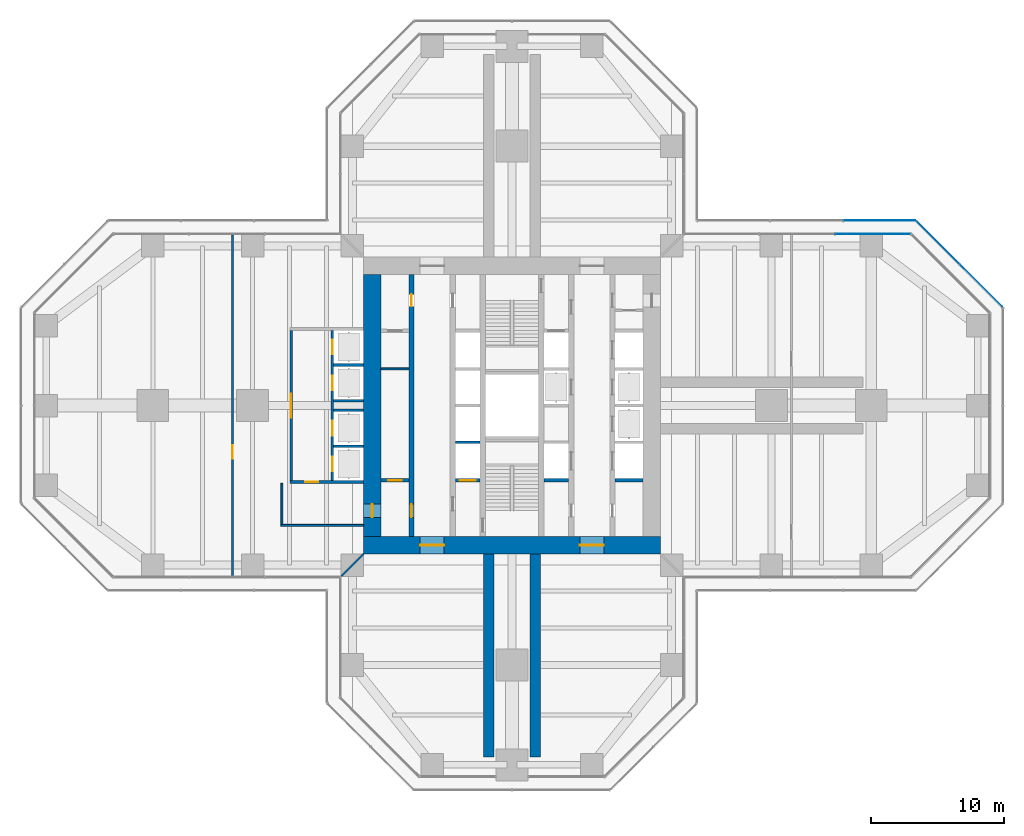
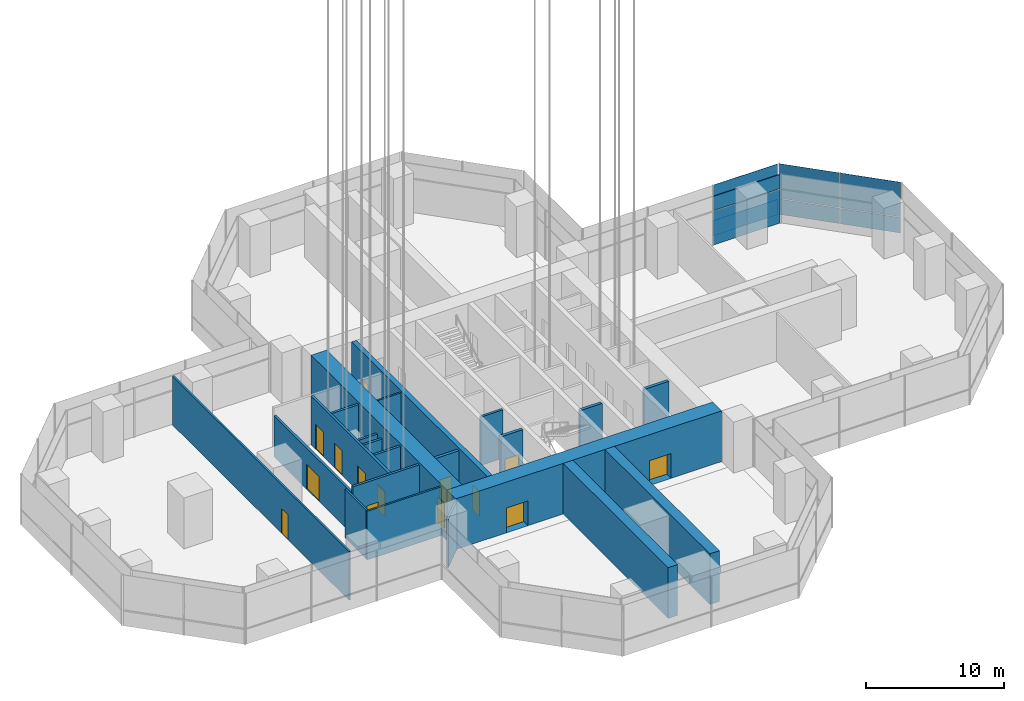
# One storey, part 14 of 34: 22 walls, 14 doors, 8 plates, 14 openings, 3 elements without a shape of their own.
"""IFC4 building model written with IfcOpenShell, lengths in metres."""

from ifc_helpers import new_model, si_unit, direction, frame, frame_2d, origin, origin_2d, place, context, subcontext, project, spatial, rectangle, extrude, material, layer, layer_set, type_object, element, fill, aggregate, save


model = new_model("IFC4")

# Units and contexts
model_context = context("Model", 3, precision=1e-05, world=origin(), true_north=direction((0.0, 1.0)))
body_context = subcontext(model_context, "Body", "Model", "MODEL_VIEW")
ifc_project = project(units=[si_unit("LENGTHUNIT", "METRE"), si_unit("AREAUNIT", "SQUARE_METRE"), si_unit("VOLUMEUNIT", "CUBIC_METRE"), si_unit("PLANEANGLEUNIT", "RADIAN"), si_unit("MASSUNIT", "GRAM", prefix="KILO")], contexts=[model_context])

# Site, building, storey
site_placement = place(None, origin())
site = spatial("IfcSite", under=ifc_project, at=site_placement, CompositionType="ELEMENT")
building_placement = place(site_placement, origin())
building = spatial("IfcBuilding", under=site, at=building_placement, Name="Mizan Broadcast Tower", CompositionType="ELEMENT")
storey_placement = place(building_placement, frame((0.0, 0.0, 194.39990234375)))
storey = spatial("IfcBuildingStorey", under=building, at=storey_placement, Name="L45", CompositionType="ELEMENT", Elevation=194.39990234375)

# Curtain wall, plates
ifc_material_1 = material(Name="Aluminium framed glazing", Category="aluminium")
curtain_wall_type_1 = type_object("IfcCurtainWallType", Name="INNER SKIN HIGH ZONE", PredefinedType="USERDEFINED", material=ifc_material_1)
curtain_wall_1_placement = place(storey_placement, origin())
curtain_wall_1 = element("IfcCurtainWall", 1, at=curtain_wall_1_placement, inside=storey, type_object=curtain_wall_type_1, Name="Inner skin high zone L45 E side", ObjectType="INNER SKIN HIGH ZONE", PredefinedType="USERDEFINED")
ifc_material_2 = material(Name="Double glazing, clear low-e", Category="glass")
ifc_layer_1 = layer(ifc_material_2, 0.028076171875)
ifc_layer_set_1 = layer_set([ifc_layer_1], Name="Double glazing, clear low-e")
plate_type_1 = type_object("IfcPlateType", Name="INNER SKIN GLAZING UNIT", PredefinedType="CURTAIN_PANEL", material=ifc_layer_set_1)
plate_1_placement = place(storey_placement, frame((27.1005859375, 12.89990234375, 0.0), z_axis=(0.0, 0.0, 1.0), x_axis=(-1.0, 0.0, 0.0)))
plate_1 = element("IfcPlate", 2, at=plate_1_placement, type_object=plate_type_1, Name="Inner skin high zone L45 E side panel 1.1", PredefinedType="CURTAIN_PANEL", context=body_context, shape_type="SweptSolid", body=[
    extrude(rectangle(XDim=5.59619140625, YDim=0.028076171875, at=origin_2d()), origin(), (0.0, 0.0, 1.0), 3.0),
])
ifc_material_3 = material(Name="Insulated aluminium spandrel panel, pale anodised", Category="aluminium")
ifc_layer_2 = layer(ifc_material_3, 0.050048828125)
ifc_layer_set_2 = layer_set([ifc_layer_2], Name="Insulated aluminium spandrel panel, pale anodised")
plate_type_2 = type_object("IfcPlateType", Name="INNER SKIN SPANDREL PANEL", PredefinedType="CURTAIN_PANEL", material=ifc_layer_set_2)
plate_2_placement = place(storey_placement, frame((27.1005859375, 12.89990234375, 3.06005859375), z_axis=(0.0, 0.0, 1.0), x_axis=(-1.0, 0.0, 0.0)))
plate_2 = element("IfcPlate", 3, at=plate_2_placement, type_object=plate_type_2, Name="Inner skin high zone L45 E side panel 1.2", PredefinedType="CURTAIN_PANEL", context=body_context, shape_type="SweptSolid", body=[
    extrude(rectangle(XDim=5.59619140625, YDim=0.050048828125, at=origin_2d()), origin(), (0.0, 0.0, 1.0), 1.260009765625),
])
aggregate(curtain_wall_1, [plate_1, plate_2])

ifc_material_4 = material(Name="Aluminium framed glazing", Category="aluminium")
curtain_wall_type_2 = type_object("IfcCurtainWallType", Name="OUTER SKIN", PredefinedType="USERDEFINED", material=ifc_material_4)
curtain_wall_2_placement = place(storey_placement, origin())
curtain_wall_2 = element("IfcCurtainWall", 4, at=curtain_wall_2_placement, inside=storey, type_object=curtain_wall_type_2, Name="Outer skin L45 E chamfer", ObjectType="OUTER SKIN", PredefinedType="USERDEFINED")
ifc_material_5 = material(Name="Laminated clear glass", Category="glass")
ifc_layer_3 = layer(ifc_material_5, 0.02001953125)
ifc_layer_set_3 = layer_set([ifc_layer_3], Name="Laminated clear glass")
plate_type_3 = type_object("IfcPlateType", Name="OUTER SKIN CLEAR GLASS", PredefinedType="CURTAIN_PANEL", material=ifc_layer_set_3)
plate_3_placement = place(storey_placement, frame((35.254150390625, 9.018798828125, 0.0), z_axis=(0.0, 0.0, 1.0), x_axis=(-0.707106781187, 0.707106781187, 0.0)))
plate_3 = element("IfcPlate", 5, at=plate_3_placement, type_object=plate_type_3, Name="Outer skin L45 E chamfer panel 1.1", PredefinedType="CURTAIN_PANEL", context=body_context, shape_type="SweptSolid", body=[
    extrude(rectangle(XDim=4.495361328125, YDim=0.02001953125, at=origin_2d()), origin(), (0.0, 0.0, 1.0), 1.3701171875),
])
plate_4_placement = place(storey_placement, frame((35.254150390625, 9.018798828125, 1.43017578125), z_axis=(0.0, 0.0, 1.0), x_axis=(-0.707106781187, 0.707106781187, 0.0)))
plate_4 = element("IfcPlate", 6, at=plate_4_placement, type_object=plate_type_3, Name="Outer skin L45 E chamfer panel 1.2", PredefinedType="CURTAIN_PANEL", context=body_context, shape_type="SweptSolid", body=[
    extrude(rectangle(XDim=4.495361328125, YDim=0.02001953125, at=origin_2d()), origin(), (0.0, 0.0, 1.0), 3.070068359375),
])

curtain_wall_3_placement = place(storey_placement, origin())
curtain_wall_3 = element("IfcCurtainWall", 7, at=curtain_wall_3_placement, inside=storey, type_object=curtain_wall_type_2, Name="Outer skin L45 E side", ObjectType="OUTER SKIN", PredefinedType="USERDEFINED")
plate_5_placement = place(storey_placement, frame((27.607421875, 13.89990234375, 0.0), z_axis=(0.0, 0.0, 1.0), x_axis=(-1.0, 0.0, 0.0)))
plate_5 = element("IfcPlate", 8, at=plate_5_placement, type_object=plate_type_3, Name="Outer skin L45 E side panel 1.1", PredefinedType="CURTAIN_PANEL", context=body_context, shape_type="SweptSolid", body=[
    extrude(rectangle(XDim=5.370849609375, YDim=0.02001953125, at=origin_2d()), origin(), (0.0, 0.0, 1.0), 1.3701171875),
])
plate_6_placement = place(storey_placement, frame((27.607421875, 13.89990234375, 1.43017578125), z_axis=(0.0, 0.0, 1.0), x_axis=(-1.0, 0.0, 0.0)))
plate_6 = element("IfcPlate", 9, at=plate_6_placement, type_object=plate_type_3, Name="Outer skin L45 E side panel 1.2", PredefinedType="CURTAIN_PANEL", context=body_context, shape_type="SweptSolid", body=[
    extrude(rectangle(XDim=5.370849609375, YDim=0.02001953125, at=origin_2d()), origin(), (0.0, 0.0, 1.0), 3.070068359375),
])
aggregate(curtain_wall_3, [plate_5, plate_6])

# Plate
ifc_material_6 = material(Name="Perforated aluminium, pale anodised", Category="aluminium")
ifc_layer_4 = layer(ifc_material_6, 0.011962890625)
ifc_layer_set_4 = layer_set([ifc_layer_4], Name="Perforated aluminium, pale anodised")
plate_type_4 = type_object("IfcPlateType", Name="OUTER SKIN PERFORATED SCREEN", PredefinedType="USERDEFINED", material=ifc_layer_set_4)
plate_7_placement = place(storey_placement, frame((32.018798828125, 12.254150390625, 0.0), z_axis=(0.0, 0.0, 1.0), x_axis=(-0.707106781187, 0.707106781187, 0.0)))
plate_7 = element("IfcPlate", 10, at=plate_7_placement, type_object=plate_type_4, Name="Outer skin L45 E chamfer panel 2.1", ObjectType="SCREEN", PredefinedType="USERDEFINED", context=body_context, shape_type="SweptSolid", body=[
    extrude(rectangle(XDim=4.495361328125, YDim=0.011962890625, at=origin_2d()), origin(), (0.0, 0.0, 1.0), 1.3701171875),
])

plate_8_placement = place(storey_placement, frame((32.018798828125, 12.254150390625, 1.43017578125), z_axis=(0.0, 0.0, 1.0), x_axis=(-0.707106781187, 0.707106781187, 0.0)))
plate_8 = element("IfcPlate", 11, at=plate_8_placement, type_object=plate_type_4, Name="Outer skin L45 E chamfer panel 2.2", ObjectType="SCREEN", PredefinedType="USERDEFINED", context=body_context, shape_type="SweptSolid", body=[
    extrude(rectangle(XDim=4.495361328125, YDim=0.011962890625, at=origin_2d()), origin(), (0.0, 0.0, 1.0), 3.070068359375),
])

aggregate(curtain_wall_2, [plate_3, plate_4, plate_7, plate_8])

# Wall, openings, doors
ifc_material_7 = material(Name="Concrete C70/85", Category="concrete")
ifc_layer_5 = layer(ifc_material_7, 0.39990234375)
ifc_layer_set_5 = layer_set([ifc_layer_5], Name="Concrete C70/85")
wall_type_1 = type_object("IfcWallType", Name="CORE INTERNAL WALL 400", PredefinedType="SHEAR", material=ifc_layer_set_5)
wall_1_placement = place(storey_placement, frame((-7.550048828125, -9.85009765625, 0.0), z_axis=(0.0, 0.0, 1.0), x_axis=(0.0, 1.0, 0.0)))
wall_1 = element("IfcWall", 12, at=wall_1_placement, inside=storey, type_object=wall_type_1, Name="Core wall CORE/XW1", PredefinedType="SHEAR", context=body_context, shape_type="SweptSolid", body=[
    extrude(rectangle(XDim=19.7001953125, YDim=0.39990234375, at=frame_2d((9.85009765625, 0.0))), origin(), (0.0, 0.0, 1.0), 4.5),
])
opening_1_placement = place(wall_1_placement, frame((1.449951171875, 0.0, 0.0)))
opening_1 = element("IfcOpeningElement", 13, at=opening_1_placement, cuts=wall_1, Name="Opening D10F", PredefinedType="OPENING", context=body_context, shape_type="SweptSolid", body=[
    extrude(rectangle(XDim=1.0, YDim=2.199951171875, at=frame_2d((0.5, 1.10009765625))), frame((0.0, 0.2099609375, 0.0), z_axis=(0.0, -1.0, 0.0), x_axis=(1.0, 0.0, 0.0)), (0.0, 0.0, 1.0), 0.419921875),
])
opening_2_placement = place(wall_1_placement, frame((17.300048828125, 0.0, 0.0)))
opening_2 = element("IfcOpeningElement", 14, at=opening_2_placement, cuts=wall_1, Name="Opening D09", PredefinedType="OPENING", context=body_context, shape_type="SweptSolid", body=[
    extrude(rectangle(XDim=0.89990234375, YDim=2.10009765625, at=frame_2d((0.449951171875, 1.050048828125))), frame((0.0, 0.2099609375, 0.0), z_axis=(0.0, -1.0, 0.0), x_axis=(1.0, 0.0, 0.0)), (0.0, 0.0, 1.0), 0.419921875),
])
ifc_material_8 = material(Name="Steel door leaf in steel frame", Category="steel")
door_type_1 = type_object("IfcDoorType", Name="FIRE DOOR 1000 FD90", OperationType="SINGLE_SWING_LEFT", PredefinedType="DOOR", material=ifc_material_8)
door_1_placement = place(opening_1_placement, origin())
door_1 = element("IfcDoor", 15, at=door_1_placement, inside=storey, type_object=door_type_1, Name="West core passage door", OperationType="SINGLE_SWING_LEFT", OverallHeight=2.199951171875, OverallWidth=1.0, PredefinedType="DOOR", context=body_context, shape_type="SweptSolid", body=[
    extrude(rectangle(XDim=1.0, YDim=2.199951171875, at=frame_2d((0.5, 1.10009765625))), frame((0.0, 0.02490234375, 0.0), z_axis=(0.0, -1.0, 0.0), x_axis=(1.0, 0.0, 0.0)), (0.0, 0.0, 1.0), 0.050048828125),
])
fill(opening_1, door_1)
ifc_material_9 = material(Name="Timber door leaf in aluminium frame", Category="wood")
door_type_2 = type_object("IfcDoorType", Name="TOILET DOOR 900", OperationType="SINGLE_SWING_LEFT", PredefinedType="DOOR", material=ifc_material_9)
door_2_placement = place(opening_2_placement, origin())
door_2 = element("IfcDoor", 16, at=door_2_placement, inside=storey, type_object=door_type_2, Name="Male WC door", OperationType="SINGLE_SWING_RIGHT", OverallHeight=2.10009765625, OverallWidth=0.89990234375, PredefinedType="DOOR", context=body_context, shape_type="SweptSolid", body=[
    extrude(rectangle(XDim=0.89990234375, YDim=2.10009765625, at=frame_2d((0.449951171875, 1.050048828125))), frame((0.0, 0.02490234375, 0.0), z_axis=(0.0, -1.0, 0.0), x_axis=(1.0, 0.0, 0.0)), (0.0, 0.0, 1.0), 0.050048828125),
])
fill(opening_2, door_2)

# Wall
ifc_material_10 = material(Name="Concrete blockwork", Category="masonry")
ifc_layer_6 = layer(ifc_material_10, 0.14990234375)
ifc_layer_set_6 = layer_set([ifc_layer_6], Name="Concrete blockwork")
wall_type_2 = type_object("IfcWallType", Name="CORE PARTITION 150", PredefinedType="SOLIDWALL", material=ifc_layer_set_6)
wall_2_placement = place(storey_placement, frame((-9.85009765625, 2.75, 0.0), z_axis=(0.0, 0.0, 1.0), x_axis=(1.0, 0.0, 0.0)))
element("IfcWall", 17, at=wall_2_placement, inside=storey, type_object=wall_type_2, Name="Core partition CORE/XP1", PredefinedType="SOLIDWALL", context=body_context, shape_type="SweptSolid", body=[
    extrude(rectangle(XDim=2.10009765625, YDim=0.14990234375, at=frame_2d((1.050048828125, 0.0))), origin(), (0.0, 0.0, 1.0), 4.320068359375),
])

# Wall, openings, doors
ifc_material_11 = material(Name="Concrete C70/85", Category="concrete")
ifc_layer_7 = layer(ifc_material_11, 1.300048828125)
ifc_layer_set_7 = layer_set([ifc_layer_7], Name="Concrete C70/85")
wall_type_3 = type_object("IfcWallType", Name="CORE WALL 1300", PredefinedType="SHEAR", material=ifc_layer_set_7)
wall_3_placement = place(storey_placement, frame((11.14990234375, -10.5, 0.0), z_axis=(0.0, 0.0, 1.0), x_axis=(-1.0, 0.0, 0.0)))
wall_3 = element("IfcWall", 18, at=wall_3_placement, inside=storey, type_object=wall_type_3, Name="Core wall S L45", PredefinedType="SHEAR", context=body_context, shape_type="SweptSolid", body=[
    extrude(rectangle(XDim=22.2998046875, YDim=1.300048828125, at=frame_2d((11.14990234375, 0.0))), origin(), (0.0, 0.0, 1.0), 4.5),
])
opening_3_placement = place(wall_3_placement, frame((16.25, 0.0, 0.0)))
opening_3 = element("IfcOpeningElement", 19, at=opening_3_placement, cuts=wall_3, Name="Opening D18F", PredefinedType="OPENING", context=body_context, shape_type="SweptSolid", body=[
    extrude(rectangle(XDim=1.800048828125, YDim=2.199951171875, at=frame_2d((0.89990234375, 1.10009765625))), frame((0.0, 0.659912109375, 0.0), z_axis=(0.0, -1.0, 0.0), x_axis=(1.0, 0.0, 0.0)), (0.0, 0.0, 1.0), 1.320068359375),
])
opening_4_placement = place(wall_3_placement, frame((4.25, 0.0, 0.0)))
opening_4 = element("IfcOpeningElement", 20, at=opening_4_placement, cuts=wall_3, Name="Opening D18F", PredefinedType="OPENING", context=body_context, shape_type="SweptSolid", body=[
    extrude(rectangle(XDim=1.800048828125, YDim=2.199951171875, at=frame_2d((0.89990234375, 1.10009765625))), frame((0.0, 0.659912109375, 0.0), z_axis=(0.0, -1.0, 0.0), x_axis=(1.0, 0.0, 0.0)), (0.0, 0.0, 1.0), 1.320068359375),
])
ifc_material_12 = material(Name="Steel door leaf in steel frame", Category="steel")
door_type_3 = type_object("IfcDoorType", Name="LOBBY DOUBLE DOOR 1800 FD90", OperationType="DOUBLE_DOOR_DOUBLE_SWING", PredefinedType="DOOR", material=ifc_material_12)
door_3_placement = place(opening_3_placement, origin())
door_3 = element("IfcDoor", 21, at=door_3_placement, inside=storey, type_object=door_type_3, Name="West lift lobby south door", OperationType="DOUBLE_DOOR_DOUBLE_SWING", OverallHeight=2.199951171875, OverallWidth=1.800048828125, PredefinedType="DOOR", context=body_context, shape_type="SweptSolid", body=[
    extrude(rectangle(XDim=1.800048828125, YDim=2.199951171875, at=frame_2d((0.89990234375, 1.10009765625))), frame((0.0, 0.02490234375, 0.0), z_axis=(0.0, -1.0, 0.0), x_axis=(1.0, 0.0, 0.0)), (0.0, 0.0, 1.0), 0.050048828125),
])
fill(opening_3, door_3)
door_4_placement = place(opening_4_placement, origin())
door_4 = element("IfcDoor", 22, at=door_4_placement, inside=storey, type_object=door_type_3, Name="East lift lobby south door", OperationType="DOUBLE_DOOR_DOUBLE_SWING", OverallHeight=2.199951171875, OverallWidth=1.800048828125, PredefinedType="DOOR", context=body_context, shape_type="SweptSolid", body=[
    extrude(rectangle(XDim=1.800048828125, YDim=2.199951171875, at=frame_2d((0.89990234375, 1.10009765625))), frame((0.0, 0.02490234375, 0.0), z_axis=(0.0, -1.0, 0.0), x_axis=(1.0, 0.0, 0.0)), (0.0, 0.0, 1.0), 0.050048828125),
])
fill(opening_4, door_4)

# Wall, opening, door
wall_4_placement = place(storey_placement, frame((-10.5, 9.85009765625, 0.0), z_axis=(0.0, 0.0, 1.0), x_axis=(0.0, -1.0, 0.0)))
wall_4 = element("IfcWall", 23, at=wall_4_placement, inside=storey, type_object=wall_type_3, Name="Core wall W L45", PredefinedType="SHEAR", context=body_context, shape_type="SweptSolid", body=[
    extrude(rectangle(XDim=19.7001953125, YDim=1.300048828125, at=frame_2d((9.85009765625, 0.0))), origin(), (0.0, 0.0, 1.0), 4.5),
])
opening_5_placement = place(wall_4_placement, frame((17.25, 0.0, 0.0)))
opening_5 = element("IfcOpeningElement", 24, at=opening_5_placement, cuts=wall_4, Name="Opening D10F", PredefinedType="OPENING", context=body_context, shape_type="SweptSolid", body=[
    extrude(rectangle(XDim=1.0, YDim=2.199951171875, at=frame_2d((0.5, 1.10009765625))), frame((0.0, 0.659912109375, 0.0), z_axis=(0.0, -1.0, 0.0), x_axis=(1.0, 0.0, 0.0)), (0.0, 0.0, 1.0), 1.320068359375),
])
door_5_placement = place(opening_5_placement, origin())
door_5 = element("IfcDoor", 25, at=door_5_placement, inside=storey, type_object=door_type_1, Name="West core passage arm door", OperationType="SINGLE_SWING_RIGHT", OverallHeight=2.199951171875, OverallWidth=1.0, PredefinedType="DOOR", context=body_context, shape_type="SweptSolid", body=[
    extrude(rectangle(XDim=1.0, YDim=2.199951171875, at=frame_2d((0.5, 1.10009765625))), frame((0.0, 0.02490234375, 0.0), z_axis=(0.0, -1.0, 0.0), x_axis=(1.0, 0.0, 0.0)), (0.0, 0.0, 1.0), 0.050048828125),
])
fill(opening_5, door_5)

# Wall
ifc_material_13 = material(Name="Concrete blockwork", Category="masonry")
ifc_layer_8 = layer(ifc_material_13, 0.199951171875)
ifc_layer_set_8 = layer_set([ifc_layer_8], Name="Concrete blockwork")
wall_type_4 = type_object("IfcWallType", Name="LIFT SHAFT WALL 200", PredefinedType="SOLIDWALL", material=ifc_layer_set_8)
wall_5_placement = place(storey_placement, frame((-4.25, -2.75, 0.0), z_axis=(0.0, 0.0, 1.0), x_axis=(1.0, 0.0, 0.0)))
element("IfcWall", 26, at=wall_5_placement, inside=storey, type_object=wall_type_4, Name="Lift shaft wall CORE/SW2-1", PredefinedType="SOLIDWALL", context=body_context, shape_type="SweptSolid", body=[
    extrude(rectangle(XDim=1.85009765625, YDim=0.199951171875, at=frame_2d((0.925048828125, 0.0))), origin(), (0.0, 0.0, 1.0), 4.300048828125),
])

# Wall, openings, doors
wall_6_placement = place(storey_placement, frame((-13.5, 5.64990234375, 0.0), z_axis=(0.0, 0.0, 1.0), x_axis=(0.0, -1.0, 0.0)))
wall_6 = element("IfcWall", 27, at=wall_6_placement, inside=storey, type_object=wall_type_4, Name="Lift shaft wall LC/F", PredefinedType="SOLIDWALL", context=body_context, shape_type="SweptSolid", body=[
    extrude(rectangle(XDim=11.2998046875, YDim=0.199951171875, at=frame_2d((5.64990234375, 0.0))), origin(), (0.0, 0.0, 1.0), 4.300048828125),
])
opening_6_placement = place(wall_6_placement, frame((0.699951171875, 0.0, 0.0)))
opening_6 = element("IfcOpeningElement", 28, at=opening_6_placement, cuts=wall_6, Name="Opening LD", PredefinedType="OPENING", context=body_context, shape_type="SweptSolid", body=[
    extrude(rectangle(XDim=1.10009765625, YDim=2.199951171875, at=frame_2d((0.550048828125, 1.10009765625))), frame((0.0, 0.10986328125, 0.0), z_axis=(0.0, -1.0, 0.0), x_axis=(1.0, 0.0, 0.0)), (0.0, 0.0, 1.0), 0.219970703125),
])
opening_7_placement = place(wall_6_placement, frame((3.39990234375, 0.0, 0.0)))
opening_7 = element("IfcOpeningElement", 29, at=opening_7_placement, cuts=wall_6, Name="Opening LD", PredefinedType="OPENING", context=body_context, shape_type="SweptSolid", body=[
    extrude(rectangle(XDim=1.10009765625, YDim=2.199951171875, at=frame_2d((0.550048828125, 1.10009765625))), frame((0.0, 0.10986328125, 0.0), z_axis=(0.0, -1.0, 0.0), x_axis=(1.0, 0.0, 0.0)), (0.0, 0.0, 1.0), 0.219970703125),
])
opening_8_placement = place(wall_6_placement, frame((6.800048828125, 0.0, 0.0)))
opening_8 = element("IfcOpeningElement", 30, at=opening_8_placement, cuts=wall_6, Name="Opening LD", PredefinedType="OPENING", context=body_context, shape_type="SweptSolid", body=[
    extrude(rectangle(XDim=1.10009765625, YDim=2.199951171875, at=frame_2d((0.550048828125, 1.10009765625))), frame((0.0, 0.10986328125, 0.0), z_axis=(0.0, -1.0, 0.0), x_axis=(1.0, 0.0, 0.0)), (0.0, 0.0, 1.0), 0.219970703125),
])
opening_9_placement = place(wall_6_placement, frame((9.5, 0.0, 0.0)))
opening_9 = element("IfcOpeningElement", 31, at=opening_9_placement, cuts=wall_6, Name="Opening LD", PredefinedType="OPENING", context=body_context, shape_type="SweptSolid", body=[
    extrude(rectangle(XDim=1.10009765625, YDim=2.199951171875, at=frame_2d((0.550048828125, 1.10009765625))), frame((0.0, 0.10986328125, 0.0), z_axis=(0.0, -1.0, 0.0), x_axis=(1.0, 0.0, 0.0)), (0.0, 0.0, 1.0), 0.219970703125),
])
ifc_material_14 = material(Name="Steel door leaf in steel frame", Category="steel")
door_type_4 = type_object("IfcDoorType", Name="LIFT LANDING DOOR 1100", OperationType="SLIDING_TO_LEFT", PredefinedType="DOOR", material=ifc_material_14)
door_6_placement = place(opening_6_placement, origin())
door_6 = element("IfcDoor", 32, at=door_6_placement, inside=storey, type_object=door_type_4, Name="Landing door LC1", OperationType="SLIDING_TO_LEFT", OverallHeight=2.199951171875, OverallWidth=1.10009765625, PredefinedType="DOOR", context=body_context, shape_type="SweptSolid", body=[
    extrude(rectangle(XDim=1.10009765625, YDim=2.199951171875, at=frame_2d((0.550048828125, 1.10009765625))), frame((0.0, 0.02490234375, 0.0), z_axis=(0.0, -1.0, 0.0), x_axis=(1.0, 0.0, 0.0)), (0.0, 0.0, 1.0), 0.050048828125),
])
fill(opening_6, door_6)
door_7_placement = place(opening_7_placement, origin())
door_7 = element("IfcDoor", 33, at=door_7_placement, inside=storey, type_object=door_type_4, Name="Landing door LC2", OperationType="SLIDING_TO_LEFT", OverallHeight=2.199951171875, OverallWidth=1.10009765625, PredefinedType="DOOR", context=body_context, shape_type="SweptSolid", body=[
    extrude(rectangle(XDim=1.10009765625, YDim=2.199951171875, at=frame_2d((0.550048828125, 1.10009765625))), frame((0.0, 0.02490234375, 0.0), z_axis=(0.0, -1.0, 0.0), x_axis=(1.0, 0.0, 0.0)), (0.0, 0.0, 1.0), 0.050048828125),
])
fill(opening_7, door_7)
door_8_placement = place(opening_8_placement, origin())
door_8 = element("IfcDoor", 34, at=door_8_placement, inside=storey, type_object=door_type_4, Name="Landing door LC3", OperationType="SLIDING_TO_LEFT", OverallHeight=2.199951171875, OverallWidth=1.10009765625, PredefinedType="DOOR", context=body_context, shape_type="SweptSolid", body=[
    extrude(rectangle(XDim=1.10009765625, YDim=2.199951171875, at=frame_2d((0.550048828125, 1.10009765625))), frame((0.0, 0.02490234375, 0.0), z_axis=(0.0, -1.0, 0.0), x_axis=(1.0, 0.0, 0.0)), (0.0, 0.0, 1.0), 0.050048828125),
])
fill(opening_8, door_8)
door_9_placement = place(opening_9_placement, origin())
door_9 = element("IfcDoor", 35, at=door_9_placement, inside=storey, type_object=door_type_4, Name="Landing door LC4", OperationType="SLIDING_TO_LEFT", OverallHeight=2.199951171875, OverallWidth=1.10009765625, PredefinedType="DOOR", context=body_context, shape_type="SweptSolid", body=[
    extrude(rectangle(XDim=1.10009765625, YDim=2.199951171875, at=frame_2d((0.550048828125, 1.10009765625))), frame((0.0, 0.02490234375, 0.0), z_axis=(0.0, -1.0, 0.0), x_axis=(1.0, 0.0, 0.0)), (0.0, 0.0, 1.0), 0.050048828125),
])
fill(opening_9, door_9)

# Wall, opening, door
wall_7_placement = place(storey_placement, frame((-11.14990234375, -5.75, 0.0), z_axis=(0.0, 0.0, 1.0), x_axis=(-1.0, 0.0, 0.0)))
wall_7 = element("IfcWall", 36, at=wall_7_placement, inside=storey, type_object=wall_type_4, Name="Lift shaft wall LC/S2", PredefinedType="SOLIDWALL", context=body_context, shape_type="SweptSolid", body=[
    extrude(rectangle(XDim=5.550048828125, YDim=0.199951171875, at=frame_2d((2.77490234375, 0.0))), origin(), (0.0, 0.0, 1.0), 4.300048828125),
])
opening_10_placement = place(wall_7_placement, frame((3.39990234375, 0.0, 0.0)))
opening_10 = element("IfcOpeningElement", 37, at=opening_10_placement, cuts=wall_7, Name="Opening D10F", PredefinedType="OPENING", context=body_context, shape_type="SweptSolid", body=[
    extrude(rectangle(XDim=1.0, YDim=2.199951171875, at=frame_2d((0.5, 1.10009765625))), frame((0.0, 0.10986328125, 0.0), z_axis=(0.0, -1.0, 0.0), x_axis=(1.0, 0.0, 0.0)), (0.0, 0.0, 1.0), 0.219970703125),
])
door_10_placement = place(opening_10_placement, origin())
door_10 = element("IfcDoor", 38, at=door_10_placement, inside=storey, type_object=door_type_1, Name="High-rise lobby corridor door", OperationType="SINGLE_SWING_RIGHT", OverallHeight=2.199951171875, OverallWidth=1.0, PredefinedType="DOOR", context=body_context, shape_type="SweptSolid", body=[
    extrude(rectangle(XDim=1.0, YDim=2.199951171875, at=frame_2d((0.5, 1.10009765625))), frame((0.0, 0.02490234375, 0.0), z_axis=(0.0, -1.0, 0.0), x_axis=(1.0, 0.0, 0.0)), (0.0, 0.0, 1.0), 0.050048828125),
])
fill(opening_10, door_10)

# Walls
wall_8_placement = place(storey_placement, frame((-11.14990234375, 3.050048828125, 0.0), z_axis=(0.0, 0.0, 1.0), x_axis=(-1.0, 0.0, 0.0)))
element("IfcWall", 39, at=wall_8_placement, inside=storey, type_object=wall_type_4, Name="Lift shaft wall LC/SP1", PredefinedType="SOLIDWALL", context=body_context, shape_type="SweptSolid", body=[
    extrude(rectangle(XDim=2.25, YDim=0.199951171875, at=frame_2d((1.125, 0.0))), origin(), (0.0, 0.0, 1.0), 4.300048828125),
])
for number, where, z_axis, x_axis, name in (
    (40, (-11.14990234375, 0.35009765625, 0.0), (0.0, 0.0, 1.0), (-1.0, 0.0, 0.0), "Lift shaft wall LC/SP2"),
    (41, (-11.14990234375, -0.35009765625, 0.0), (0.0, 0.0, 1.0), (-1.0, 0.0, 0.0), "Lift shaft wall LC/SP3"),
):
    element("IfcWall", number, at=place(storey_placement, frame(where, z_axis=z_axis, x_axis=x_axis)), inside=storey, type_object=wall_type_4, Name=name, PredefinedType="SOLIDWALL", context=body_context, shape_type="SweptSolid", body=[
        extrude(rectangle(XDim=2.25, YDim=0.199951171875, at=frame_2d((1.125, 0.0))), origin(), (0.0, 0.0, 1.0), 3.320068359375),
    ])
wall_9_placement = place(storey_placement, frame((-11.14990234375, -3.050048828125, 0.0), z_axis=(0.0, 0.0, 1.0), x_axis=(-1.0, 0.0, 0.0)))
element("IfcWall", 42, at=wall_9_placement, inside=storey, type_object=wall_type_4, Name="Lift shaft wall LC/SP4", PredefinedType="SOLIDWALL", context=body_context, shape_type="SweptSolid", body=[
    extrude(rectangle(XDim=2.25, YDim=0.199951171875, at=frame_2d((1.125, 0.0))), origin(), (0.0, 0.0, 1.0), 4.300048828125),
])

# Wall, opening, door
ifc_material_15 = material(Name="Concrete blockwork", Category="masonry")
ifc_layer_9 = layer(ifc_material_15, 0.25)
ifc_layer_set_9 = layer_set([ifc_layer_9], Name="Concrete blockwork")
wall_type_5 = type_object("IfcWallType", Name="LOBBY ENCLOSURE WALL 250", PredefinedType="SOLIDWALL", material=ifc_layer_set_9)
wall_10_placement = place(storey_placement, frame((-9.85009765625, -5.625, 0.0), z_axis=(0.0, 0.0, 1.0), x_axis=(1.0, 0.0, 0.0)))
wall_10 = element("IfcWall", 43, at=wall_10_placement, inside=storey, type_object=wall_type_5, Name="Lobby enclosure wall CORE/BW1S", PredefinedType="SOLIDWALL", context=body_context, shape_type="SweptSolid", body=[
    extrude(rectangle(XDim=2.10009765625, YDim=0.25, at=frame_2d((1.050048828125, 0.0))), origin(), (0.0, 0.0, 1.0), 4.300048828125),
])
opening_11_placement = place(wall_10_placement, frame((0.550048828125, 0.0, 0.0)))
opening_11 = element("IfcOpeningElement", 44, at=opening_11_placement, cuts=wall_10, Name="Opening D10F", PredefinedType="OPENING", context=body_context, shape_type="SweptSolid", body=[
    extrude(rectangle(XDim=1.0, YDim=2.199951171875, at=frame_2d((0.5, 1.10009765625))), frame((0.0, 0.135009765625, 0.0), z_axis=(0.0, -1.0, 0.0), x_axis=(1.0, 0.0, 0.0)), (0.0, 0.0, 1.0), 0.27001953125),
])
door_11_placement = place(opening_11_placement, origin())
door_11 = element("IfcDoor", 45, at=door_11_placement, inside=storey, type_object=door_type_1, Name="Broadcast cable room door", OperationType="SINGLE_SWING_RIGHT", OverallHeight=2.199951171875, OverallWidth=1.0, PredefinedType="DOOR", context=body_context, shape_type="SweptSolid", body=[
    extrude(rectangle(XDim=1.0, YDim=2.199951171875, at=frame_2d((0.5, 1.10009765625))), frame((0.0, 0.02490234375, 0.0), z_axis=(0.0, -1.0, 0.0), x_axis=(1.0, 0.0, 0.0)), (0.0, 0.0, 1.0), 0.050048828125),
])
fill(opening_11, door_11)

wall_11_placement = place(storey_placement, frame((-4.25, -5.625, 0.0), z_axis=(0.0, 0.0, 1.0), x_axis=(1.0, 0.0, 0.0)))
wall_11 = element("IfcWall", 46, at=wall_11_placement, inside=storey, type_object=wall_type_5, Name="Lobby enclosure wall CORE/BW2S", PredefinedType="SOLIDWALL", context=body_context, shape_type="SweptSolid", body=[
    extrude(rectangle(XDim=1.85009765625, YDim=0.25, at=frame_2d((0.925048828125, 0.0))), origin(), (0.0, 0.0, 1.0), 4.300048828125),
])
opening_12_placement = place(wall_11_placement, frame((0.324951171875, 0.0, 0.0)))
opening_12 = element("IfcOpeningElement", 47, at=opening_12_placement, cuts=wall_11, Name="Opening LDF", PredefinedType="OPENING", context=body_context, shape_type="SweptSolid", body=[
    extrude(rectangle(XDim=1.199951171875, YDim=2.199951171875, at=frame_2d((0.60009765625, 1.10009765625))), frame((0.0, 0.135009765625, 0.0), z_axis=(0.0, -1.0, 0.0), x_axis=(1.0, 0.0, 0.0)), (0.0, 0.0, 1.0), 0.27001953125),
])
ifc_material_16 = material(Name="Steel door leaf in steel frame", Category="steel")
door_type_5 = type_object("IfcDoorType", Name="FIREFIGHTING LIFT LANDING DOOR 1200", OperationType="SLIDING_TO_LEFT", PredefinedType="DOOR", material=ifc_material_16)
door_12_placement = place(opening_12_placement, origin())
door_12 = element("IfcDoor", 48, at=door_12_placement, inside=storey, type_object=door_type_5, Name="Landing door FF1", OperationType="SLIDING_TO_LEFT", OverallHeight=2.199951171875, OverallWidth=1.199951171875, PredefinedType="DOOR", context=body_context, shape_type="SweptSolid", body=[
    extrude(rectangle(XDim=1.199951171875, YDim=2.199951171875, at=frame_2d((0.60009765625, 1.10009765625))), frame((0.0, 0.02490234375, 0.0), z_axis=(0.0, -1.0, 0.0), x_axis=(1.0, 0.0, 0.0)), (0.0, 0.0, 1.0), 0.050048828125),
])
fill(opening_12, door_12)

# Walls
wall_12_placement = place(storey_placement, frame((2.39990234375, -5.625, 0.0), z_axis=(0.0, 0.0, 1.0), x_axis=(1.0, 0.0, 0.0)))
element("IfcWall", 49, at=wall_12_placement, inside=storey, type_object=wall_type_5, Name="Lobby enclosure wall CORE/BE2S", PredefinedType="SOLIDWALL", context=body_context, shape_type="SweptSolid", body=[
    extrude(rectangle(XDim=1.85009765625, YDim=0.25, at=frame_2d((0.925048828125, 0.0))), origin(), (0.0, 0.0, 1.0), 4.300048828125),
])
wall_13_placement = place(storey_placement, frame((7.75, -5.625, 0.0), z_axis=(0.0, 0.0, 1.0), x_axis=(1.0, 0.0, 0.0)))
element("IfcWall", 50, at=wall_13_placement, inside=storey, type_object=wall_type_5, Name="Lobby enclosure wall CORE/BE1S", PredefinedType="SOLIDWALL", context=body_context, shape_type="SweptSolid", body=[
    extrude(rectangle(XDim=2.10009765625, YDim=0.25, at=frame_2d((1.050048828125, 0.0))), origin(), (0.0, 0.0, 1.0), 4.300048828125),
])

# Wall, opening, door
wall_14_placement = place(storey_placement, frame((-16.60009765625, 5.64990234375, 0.0), z_axis=(0.0, 0.0, 1.0), x_axis=(0.0, -1.0, 0.0)))
wall_14 = element("IfcWall", 51, at=wall_14_placement, inside=storey, type_object=wall_type_5, Name="Lobby enclosure wall LC/LF", PredefinedType="SOLIDWALL", context=body_context, shape_type="SweptSolid", body=[
    extrude(rectangle(XDim=11.2998046875, YDim=0.199951171875, at=frame_2d((5.64990234375, 0.0))), origin(), (0.0, 0.0, 1.0), 3.630126953125),
])
opening_13_placement = place(wall_14_placement, frame((4.75, 0.0, 0.0)))
opening_13 = element("IfcOpeningElement", 52, at=opening_13_placement, cuts=wall_14, Name="Opening D18F", PredefinedType="OPENING", context=body_context, shape_type="SweptSolid", body=[
    extrude(rectangle(XDim=1.800048828125, YDim=2.199951171875, at=frame_2d((0.89990234375, 1.10009765625))), frame((0.0, 0.10986328125, 0.0), z_axis=(0.0, -1.0, 0.0), x_axis=(1.0, 0.0, 0.0)), (0.0, 0.0, 1.0), 0.219970703125),
])
door_13_placement = place(opening_13_placement, origin())
door_13 = element("IfcDoor", 53, at=door_13_placement, inside=storey, type_object=door_type_3, Name="High-rise lift lobby door", OperationType="DOUBLE_DOOR_DOUBLE_SWING", OverallHeight=2.199951171875, OverallWidth=1.800048828125, PredefinedType="DOOR", context=body_context, shape_type="SweptSolid", body=[
    extrude(rectangle(XDim=1.800048828125, YDim=2.199951171875, at=frame_2d((0.89990234375, 1.10009765625))), frame((0.0, 0.02490234375, 0.0), z_axis=(0.0, -1.0, 0.0), x_axis=(1.0, 0.0, 0.0)), (0.0, 0.0, 1.0), 0.050048828125),
])
fill(opening_13, door_13)

ifc_material_17 = material(Name="Gypsum board on steel studs", Category="steel")
ifc_layer_10 = layer(ifc_material_17, 0.14990234375)
ifc_layer_set_10 = layer_set([ifc_layer_10], Name="Gypsum board on steel studs")
wall_type_6 = type_object("IfcWallType", Name="PARTITION 150", PredefinedType="PARTITIONING", material=ifc_layer_set_10)
wall_15_placement = place(storey_placement, frame((-21.0, 12.820068359375, 0.0), z_axis=(0.0, 0.0, 1.0), x_axis=(0.0, -1.0, 0.0)))
wall_15 = element("IfcWall", 54, at=wall_15_placement, inside=storey, type_object=wall_type_6, Name="Partition PT/WX1", PredefinedType="PARTITIONING", context=body_context, shape_type="SweptSolid", body=[
    extrude(rectangle(XDim=25.64013671875, YDim=0.14990234375, at=frame_2d((12.820068359375, 0.0))), origin(), (0.0, 0.0, 1.0), 4.320068359375),
])
opening_14_placement = place(wall_15_placement, frame((15.820068359375, 0.0, 0.0)))
opening_14 = element("IfcOpeningElement", 55, at=opening_14_placement, cuts=wall_15, Name="Opening D10", PredefinedType="OPENING", context=body_context, shape_type="SweptSolid", body=[
    extrude(rectangle(XDim=1.0, YDim=2.199951171875, at=frame_2d((0.5, 1.10009765625))), frame((0.0, 0.0849609375, 0.0), z_axis=(0.0, -1.0, 0.0), x_axis=(1.0, 0.0, 0.0)), (0.0, 0.0, 1.0), 0.169921875),
])
ifc_material_18 = material(Name="Timber door leaf in aluminium frame", Category="wood")
door_type_6 = type_object("IfcDoorType", Name="ROOM DOOR 1000", OperationType="SINGLE_SWING_LEFT", PredefinedType="DOOR", material=ifc_material_18)
door_14_placement = place(opening_14_placement, origin())
door_14 = element("IfcDoor", 56, at=door_14_placement, inside=storey, type_object=door_type_6, Name="Staff library door", OperationType="SINGLE_SWING_RIGHT", OverallHeight=2.199951171875, OverallWidth=1.0, PredefinedType="DOOR", context=body_context, shape_type="SweptSolid", body=[
    extrude(rectangle(XDim=1.0, YDim=2.199951171875, at=frame_2d((0.5, 1.10009765625))), frame((0.0, 0.02490234375, 0.0), z_axis=(0.0, -1.0, 0.0), x_axis=(1.0, 0.0, 0.0)), (0.0, 0.0, 1.0), 0.050048828125),
])
fill(opening_14, door_14)

# Walls
wall_16_placement = place(storey_placement, frame((-11.14990234375, -11.14990234375, 0.0), z_axis=(0.0, 0.0, 1.0), x_axis=(-0.707106781187, -0.707106781187, 0.0)))
element("IfcWall", 57, at=wall_16_placement, inside=storey, type_object=wall_type_6, Name="Partition PT/DGWS", PredefinedType="PARTITIONING", context=body_context, shape_type="SweptSolid", body=[
    extrude(rectangle(XDim=2.362060546875, YDim=0.14990234375, at=frame_2d((1.18115234375, 0.0))), origin(), (0.0, 0.0, 1.0), 4.320068359375),
])
wall_17_placement = place(storey_placement, frame((-11.14990234375, -9.0, 0.0), z_axis=(0.0, 0.0, 1.0), x_axis=(-1.0, 0.0, 0.0)))
element("IfcWall", 58, at=wall_17_placement, inside=storey, type_object=wall_type_6, Name="Partition PT/LCC1", PredefinedType="PARTITIONING", context=body_context, shape_type="SweptSolid", body=[
    extrude(rectangle(XDim=6.22509765625, YDim=0.14990234375, at=frame_2d((3.112548828125, 0.0))), origin(), (0.0, 0.0, 1.0), 4.320068359375),
])
wall_18_placement = place(storey_placement, frame((-17.300048828125, -5.85009765625, 0.0), z_axis=(0.0, 0.0, 1.0), x_axis=(0.0, -1.0, 0.0)))
element("IfcWall", 59, at=wall_18_placement, inside=storey, type_object=wall_type_6, Name="Partition PT/LCC2", PredefinedType="PARTITIONING", context=body_context, shape_type="SweptSolid", body=[
    extrude(rectangle(XDim=3.074951171875, YDim=0.14990234375, at=frame_2d((1.53759765625, 0.0))), origin(), (0.0, 0.0, 1.0), 4.320068359375),
])
ifc_material_19 = material(Name="Concrete C70/85", Category="concrete")
ifc_layer_11 = layer(ifc_material_19, 0.800048828125)
ifc_layer_set_11 = layer_set([ifc_layer_11], Name="Concrete C70/85")
wall_type_7 = type_object("IfcWallType", Name="SPINE WALL 800", PredefinedType="SHEAR", material=ifc_layer_set_11)
for number, where, z_axis, x_axis, name in (
    (60, (-1.75, -11.14990234375, 0.0), (0.0, 0.0, 1.0), (0.0, -1.0, 0.0), "Spine wall SR L45"),
    (61, (1.75, -11.14990234375, 0.0), (0.0, 0.0, 1.0), (0.0, -1.0, 0.0), "Spine wall SL L45"),
):
    element("IfcWall", number, at=place(storey_placement, frame(where, z_axis=z_axis, x_axis=x_axis)), inside=storey, type_object=wall_type_7, Name=name, PredefinedType="SHEAR", context=body_context, shape_type="SweptSolid", body=[
        extrude(rectangle(XDim=15.25, YDim=0.800048828125, at=frame_2d((7.625, 0.0))), origin(), (0.0, 0.0, 1.0), 4.5),
    ])

save(model, "model.ifc")
